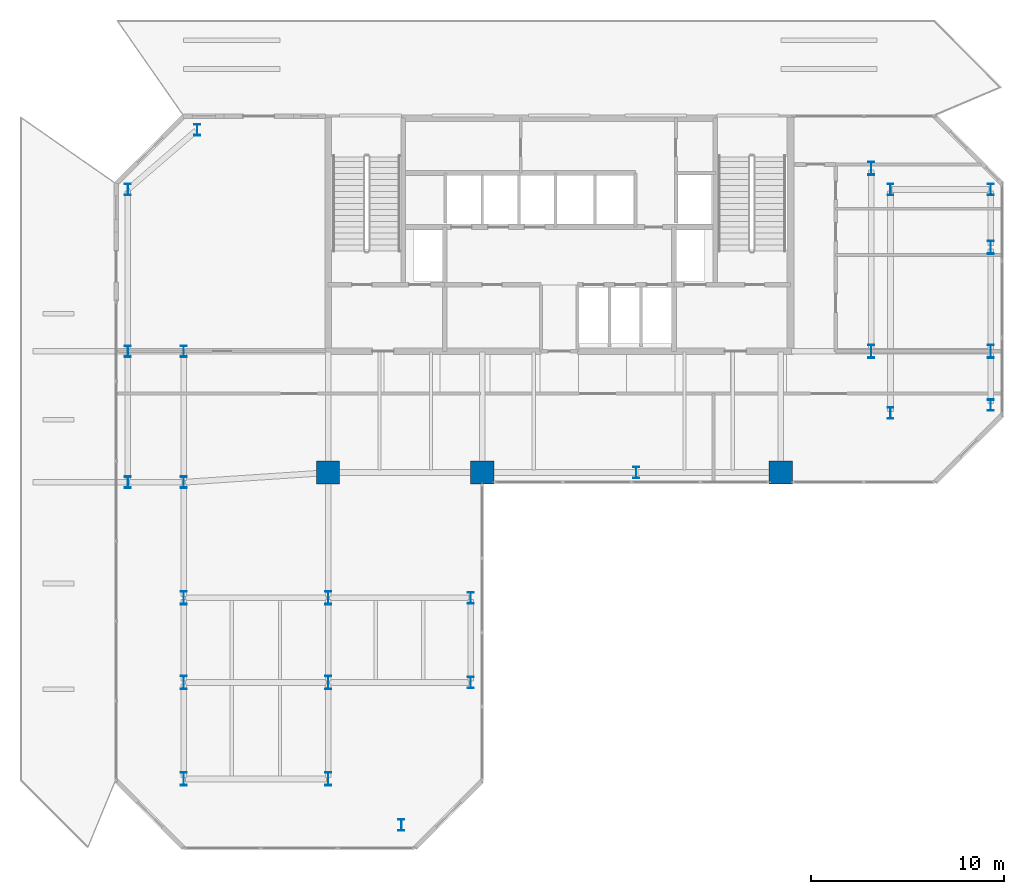
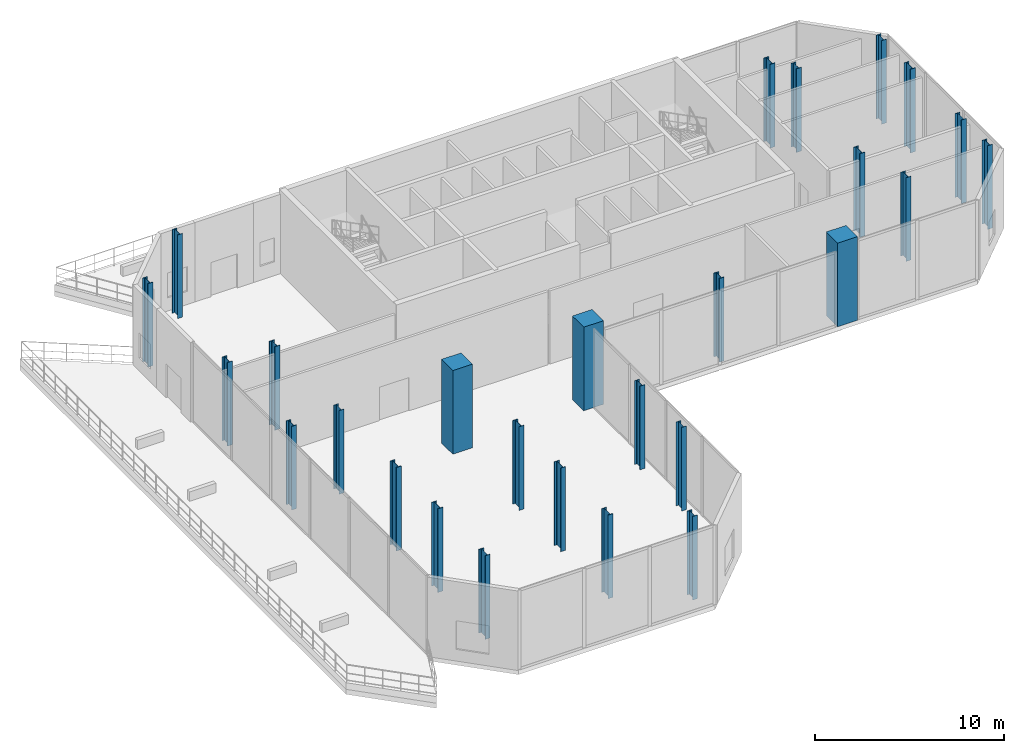
# One storey, part 1 of 18: 27 columns.
"""IFC4 building model written with IfcOpenShell, lengths in metres."""

from ifc_helpers import new_model, si_unit, direction, frame, origin, origin_2d, place, context, subcontext, project, spatial, rectangle, i_section, extrude, material, material_profile, profile_set, type_object, element, save


model = new_model("IFC4")

# Units and contexts
model_context = context("Model", 3, precision=1e-05, world=origin(), true_north=direction((0.0, 1.0)))
body_context = subcontext(model_context, "Body", "Model", "MODEL_VIEW")
ifc_project = project(units=[si_unit("LENGTHUNIT", "METRE"), si_unit("AREAUNIT", "SQUARE_METRE"), si_unit("VOLUMEUNIT", "CUBIC_METRE"), si_unit("PLANEANGLEUNIT", "RADIAN"), si_unit("MASSUNIT", "GRAM", prefix="KILO")], contexts=[model_context])

# Site, building, storey
site_placement = place(None, origin())
site = spatial("IfcSite", under=ifc_project, at=site_placement, CompositionType="ELEMENT")
building_placement = place(site_placement, origin())
building = spatial("IfcBuilding", under=site, at=building_placement, Name="Catumbela Crestline Tower", CompositionType="ELEMENT")
storey_placement = place(building_placement, frame((0.0, 0.0, 148.8)))
storey = spatial("IfcBuildingStorey", under=building, at=storey_placement, Name="L38", CompositionType="ELEMENT", Elevation=148.8)

# Columns
ifc_material_1 = material(Name="Concrete C50/60", Category="concrete")
ifc_material_profile_1 = material_profile(ifc_material_1, rectangle(XDim=1.2, YDim=1.2, at=origin_2d()), Name="RC 1200x1200")
ifc_profile_set_1 = profile_set([ifc_material_profile_1], Name="Concrete C50/60")
column_type_1 = type_object("IfcColumnType", Name="C-RC1200-C50", PredefinedType="COLUMN", material=ifc_profile_set_1)
for number, where, z_axis, x_axis, name in (
    (1, (16.0, 24.5, 0.0), (0.0, 0.0, 1.0), (1.0, 0.0, 0.0), "L38 Column C-16-24 (RC 1200x1200)"),
    (2, (24.0, 24.5, 0.0), (0.0, 0.0, 1.0), (1.0, 0.0, 0.0), "L38 Column C-24-24 (RC 1200x1200)"),
    (3, (39.5, 24.5, 0.0), (0.0, 0.0, 1.0), (1.0, 0.0, 0.0), "L38 Column C-40-24 (RC 1200x1200)"),
):
    element("IfcColumn", number, at=place(storey_placement, frame(where, z_axis=z_axis, x_axis=x_axis)), inside=storey, type_object=column_type_1, Name=name, PredefinedType="COLUMN", context=body_context, shape_type="SweptSolid", body=[
        extrude(rectangle(XDim=1.2, YDim=1.2, at=origin_2d()), origin(), (0.0, 0.0, 1.0), 5.4),
    ])
ifc_material_2 = material(Name="Structural steel S460M", Category="steel")
ifc_material_profile_2 = material_profile(ifc_material_2, i_section(OverallWidth=0.3, OverallDepth=0.6, WebThickness=0.0155, FlangeThickness=0.03, FilletRadius=0.027, at=origin_2d()), Name="HEB 600")
ifc_profile_set_2 = profile_set([ifc_material_profile_2], Name="Structural steel S460M")
column_type_2 = type_object("IfcColumnType", Name="C-ST-HEB600", PredefinedType="COLUMN", material=ifc_profile_set_2)
for number, where, z_axis, x_axis, name in (
    (4, (8.5, 24.0, 0.0), (0.0, 0.0, 1.0), (1.0, 0.0, 0.0), "L38 Column C-08-24 (HEB 600)"),
    (5, (32.0, 24.5, 0.0), (0.0, 0.0, 1.0), (1.0, 0.0, 0.0), "L38 Column C-32-24 (HEB 600)"),
    (6, (5.6, 24.0, 0.0), (0.0, 0.0, 1.0), (1.0, 0.0, 0.0), "L38 Column C-05-24 (HEB 600)"),
    (7, (5.6, 30.8, 0.0), (0.0, 0.0, 1.0), (1.0, 0.0, 0.0), "L38 Column C-05-31 (HEB 600)"),
    (8, (5.6, 39.2, 0.0), (0.0, 0.0, 1.0), (1.0, 0.0, 0.0), "L38 Column C-05-43 (HEB 600)"),
    (9, (8.5, 30.8, 0.0), (0.0, 0.0, 1.0), (1.0, 0.0, 0.0), "L38 Column C-08-31 (HEB 600)"),
    (10, (9.2, 42.3, 0.0), (0.0, 0.0, 1.0), (1.0, 0.0, 0.0), "L38 Column C-08-43 (HEB 600)"),
    (11, (45.2, 27.6, 0.0), (0.0, 0.0, 1.0), (1.0, 0.0, 0.0), "L38 Column C-46-24 (HEB 600)"),
    (12, (45.2, 39.2, 0.0), (0.0, 0.0, 1.0), (1.0, 0.0, 0.0), "L38 Column C-46-43 (HEB 600)"),
    (13, (50.4, 28.0, 0.0), (0.0, 0.0, 1.0), (1.0, 0.0, 0.0), "L38 Column C-51-24 (HEB 600)"),
    (14, (50.4, 39.2, 0.0), (0.0, 0.0, 1.0), (1.0, 0.0, 0.0), "L38 Column C-51-43 (HEB 600)"),
    (15, (19.8, 6.2, 0.0), (0.0, 0.0, 1.0), (1.0, 0.0, 0.0), "L38 Column C-24-05 (HEB 600)"),
    (16, (23.4, 13.6, 0.0), (0.0, 0.0, 1.0), (1.0, 0.0, 0.0), "L38 Column C-24-10 (HEB 600)"),
    (17, (23.4, 18.0, 0.0), (0.0, 0.0, 1.0), (1.0, 0.0, 0.0), "L38 Column C-24-16 (HEB 600)"),
):
    element("IfcColumn", number, at=place(storey_placement, frame(where, z_axis=z_axis, x_axis=x_axis)), inside=storey, type_object=column_type_2, Name=name, PredefinedType="COLUMN", context=body_context, shape_type="SweptSolid", body=[
        extrude(i_section(OverallWidth=0.3, OverallDepth=0.6, WebThickness=0.0155, FlangeThickness=0.03, FilletRadius=0.027, at=origin_2d()), origin(), (0.0, 0.0, 1.0), 5.4),
    ])
ifc_material_profile_3 = material_profile(ifc_material_2, i_section(OverallWidth=0.3, OverallDepth=0.7, WebThickness=0.017, FlangeThickness=0.032, FilletRadius=0.027, at=origin_2d()), Name="HEB 700")
ifc_profile_set_3 = profile_set([ifc_material_profile_3], Name="Structural steel S460M")
column_type_3 = type_object("IfcColumnType", Name="C-ST-HEB700", PredefinedType="COLUMN", material=ifc_profile_set_3)
for number, where, z_axis, x_axis, name in (
    (18, (8.5, 8.6, 0.0), (0.0, 0.0, 1.0), (1.0, 0.0, 0.0), "L38 Column CT-05-05 (HEB 700)"),
    (19, (16.0, 8.6, 0.0), (0.0, 0.0, 1.0), (1.0, 0.0, 0.0), "L38 Column CT-14-05 (HEB 700)"),
    (20, (8.5, 13.6, 0.0), (0.0, 0.0, 1.0), (1.0, 0.0, 0.0), "L38 Column CT-05-10 (HEB 700)"),
    (21, (16.0, 13.6, 0.0), (0.0, 0.0, 1.0), (1.0, 0.0, 0.0), "L38 Column CT-14-10 (HEB 700)"),
    (22, (8.5, 18.0, 0.0), (0.0, 0.0, 1.0), (1.0, 0.0, 0.0), "L38 Column CT-05-16 (HEB 700)"),
    (23, (16.0, 18.0, 0.0), (0.0, 0.0, 1.0), (1.0, 0.0, 0.0), "L38 Column CT-14-16 (HEB 700)"),
    (24, (44.2, 30.8, 0.0), (0.0, 0.0, 1.0), (1.0, 0.0, 0.0), "L38 Column CT-46-31 (HEB 700)"),
    (25, (44.2, 40.3, 0.0), (0.0, 0.0, 1.0), (1.0, 0.0, 0.0), "L38 Column CT-46-37 (HEB 700)"),
    (26, (50.4, 30.8, 0.0), (0.0, 0.0, 1.0), (1.0, 0.0, 0.0), "L38 Column CT-51-31 (HEB 700)"),
    (27, (50.4, 36.2, 0.0), (0.0, 0.0, 1.0), (1.0, 0.0, 0.0), "L38 Column CT-51-37 (HEB 700)"),
):
    element("IfcColumn", number, at=place(storey_placement, frame(where, z_axis=z_axis, x_axis=x_axis)), inside=storey, type_object=column_type_3, Name=name, PredefinedType="COLUMN", context=body_context, shape_type="SweptSolid", body=[
        extrude(i_section(OverallWidth=0.3, OverallDepth=0.7, WebThickness=0.017, FlangeThickness=0.032, FilletRadius=0.027, at=origin_2d()), origin(), (0.0, 0.0, 1.0), 5.4),
    ])

save(model, "model.ifc")
